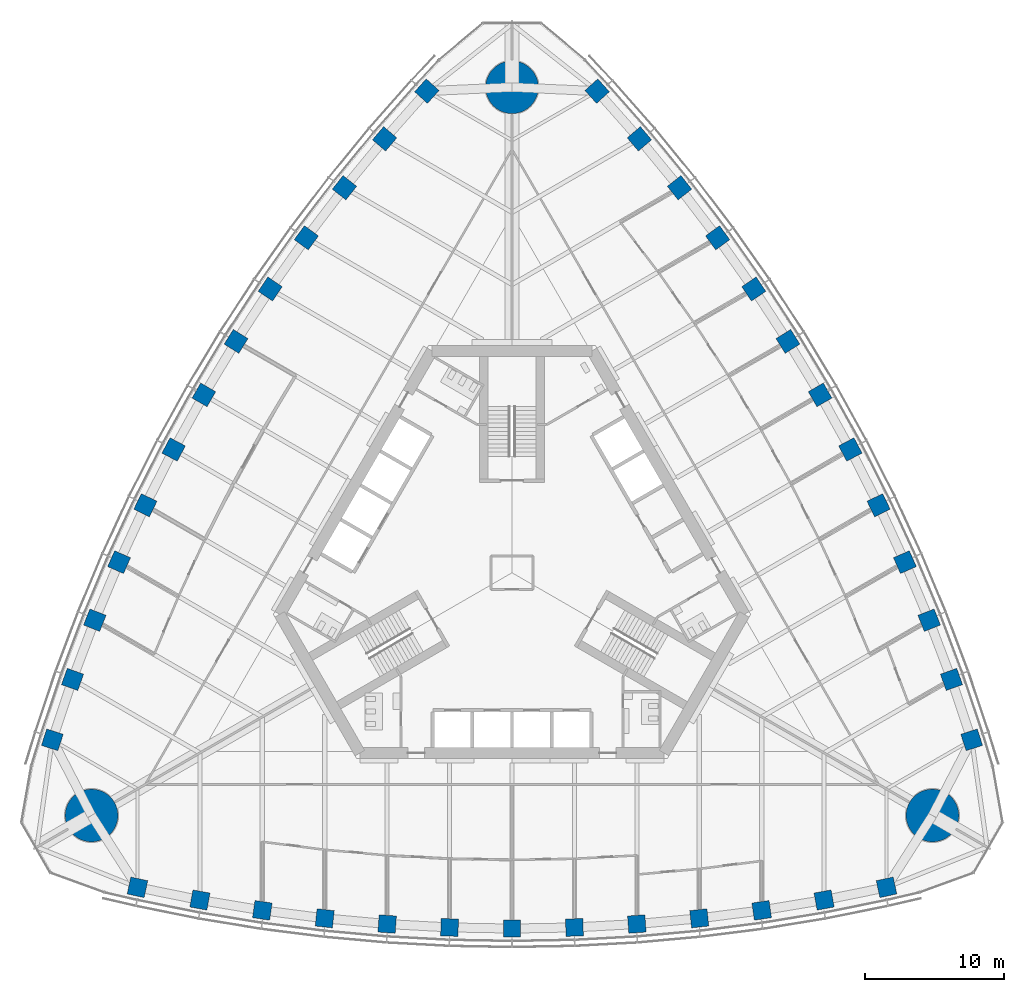
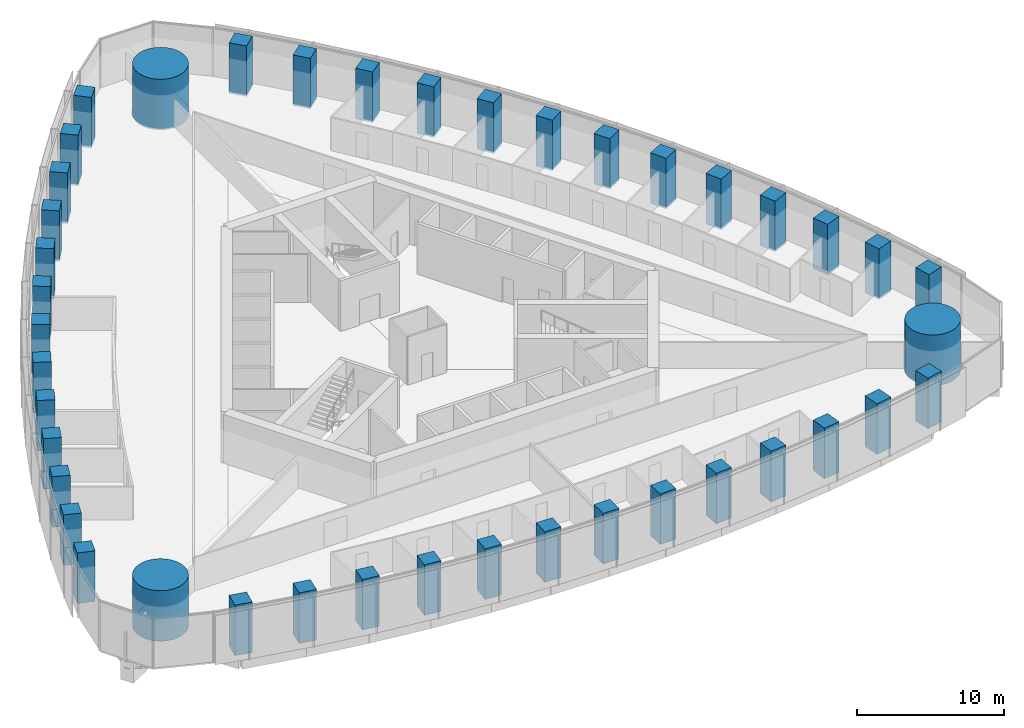
# One storey, part 1 of 21: 42 columns.
"""IFC4 building model written with IfcOpenShell, lengths in metres."""

from ifc_helpers import new_model, si_unit, direction, frame, origin, origin_2d, place, context, subcontext, project, spatial, rectangle, circle, extrude, material, material_profile, profile_set, type_object, element, save


model = new_model("IFC4")

# Units and contexts
model_context = context("Model", 3, precision=1e-05, world=origin(), true_north=direction((0.0, 1.0)))
body_context = subcontext(model_context, "Body", "Model", "MODEL_VIEW")
ifc_project = project(units=[si_unit("LENGTHUNIT", "METRE"), si_unit("AREAUNIT", "SQUARE_METRE"), si_unit("VOLUMEUNIT", "CUBIC_METRE"), si_unit("PLANEANGLEUNIT", "RADIAN"), si_unit("MASSUNIT", "GRAM", prefix="KILO")], contexts=[model_context])

# Site, building, storey
site_placement = place(None, origin())
site = spatial("IfcSite", under=ifc_project, at=site_placement, CompositionType="ELEMENT")
building_placement = place(site_placement, origin())
building = spatial("IfcBuilding", under=site, at=building_placement, Name="Trefoil Bronze Tower", CompositionType="ELEMENT")
storey_placement = place(building_placement, frame((0.0, 0.0, 149.300048828125)))
storey = spatial("IfcBuildingStorey", under=building, at=storey_placement, Name="L34", CompositionType="ELEMENT", Elevation=149.300048828125)

# Columns
ifc_material_1 = material(Name="Concrete B80", Category="concrete")
ifc_material_profile_1 = material_profile(ifc_material_1, circle(Radius=1.89990234375, at=origin_2d()), Name="RC D3800")
ifc_profile_set_1 = profile_set([ifc_material_profile_1], Name="Concrete B80")
column_type_1 = type_object("IfcColumnType", Name="Mega column RC D3800", PredefinedType="COLUMN", material=ifc_profile_set_1)
for number, where, z_axis, x_axis, name in (
    (1, (30.310791015625, -17.5, 0.0), (0.0, 0.0, 1.0), (1.0, 0.0, 0.0), "Mega column K1 L34"),
    (2, (0.0, 35.0, 0.0), (0.0, 0.0, 1.0), (1.0, 0.0, 0.0), "Mega column K2 L34"),
    (3, (-30.310791015625, -17.5, 0.0), (0.0, 0.0, 1.0), (1.0, 0.0, 0.0), "Mega column K3 L34"),
):
    element("IfcColumn", number, at=place(storey_placement, frame(where, z_axis=z_axis, x_axis=x_axis)), inside=storey, type_object=column_type_1, Name=name, PredefinedType="COLUMN", context=body_context, shape_type="SweptSolid", body=[
        extrude(circle(Radius=1.89990234375, at=origin_2d()), origin(), (0.0, 0.0, 1.0), 4.199951171875),
    ])
ifc_material_2 = material(Name="Concrete B80", Category="concrete")
ifc_material_profile_2 = material_profile(ifc_material_2, rectangle(XDim=1.25, YDim=1.25, at=origin_2d()), Name="RC 1250x1250")
ifc_profile_set_2 = profile_set([ifc_material_profile_2], Name="Concrete B80")
column_type_2 = type_object("IfcColumnType", Name="Tube column RC 1250x1250", PredefinedType="COLUMN", material=ifc_profile_set_2)
for number, where, z_axis, x_axis, name in (
    (4, (-27.0, -22.67724609375, 0.0), (0.0, 0.0, 1.0), (0.977276081214, -0.21197042503, 0.0), "Tube column F1/-6 L34"),
    (5, (-22.5, -23.592529296875, 0.0), (0.0, 0.0, 1.0), (0.98362250613, -0.180240853954, 0.0), "Tube column F1/-5 L34"),
    (6, (-18.0, -24.337158203125, 0.0), (0.0, 0.0, 1.0), (0.989549714366, -0.144192103798, 0.0), "Tube column F1/-4 L34"),
    (7, (-13.5, -24.9130859375, 0.0), (0.0, 0.0, 1.0), (0.994135267447, -0.108143747013, 0.0), "Tube column F1/-3 L34"),
    (8, (-9.0, -25.32275390625, 0.0), (0.0, 0.0, 1.0), (0.997397720802, -0.072095676284, 0.0), "Tube column F1/-2 L34"),
    (9, (-4.5, -25.568115234375, 0.0), (0.0, 0.0, 1.0), (0.999350067136, -0.036047792107, 0.0), "Tube column F1/-1 L34"),
    (10, (0.0, -25.649658203125, 0.0), (0.0, 0.0, 1.0), (1.0, 0.0, 0.0), "Tube column F1/+0 L34"),
    (11, (4.5, -25.568115234375, 0.0), (0.0, 0.0, 1.0), (0.999350067136, 0.036047792107, 0.0), "Tube column F1/+1 L34"),
    (12, (9.0, -25.32275390625, 0.0), (0.0, 0.0, 1.0), (0.997397720802, 0.072095676284, 0.0), "Tube column F1/+2 L34"),
    (13, (13.5, -24.9130859375, 0.0), (0.0, 0.0, 1.0), (0.994135267447, 0.108143747013, 0.0), "Tube column F1/+3 L34"),
    (14, (18.0, -24.337158203125, 0.0), (0.0, 0.0, 1.0), (0.989549714366, 0.144192103798, 0.0), "Tube column F1/+4 L34"),
    (15, (22.5, -23.592529296875, 0.0), (0.0, 0.0, 1.0), (0.98362250613, 0.180240853954, 0.0), "Tube column F1/+5 L34"),
    (16, (27.0, -22.67724609375, 0.0), (0.0, 0.0, 1.0), (0.977276081214, 0.21197042503, 0.0), "Tube column F1/+6 L34"),
    (17, (33.13916015625, -12.044189453125, 0.0), (0.0, 0.0, 1.0), (-0.30506626768, 0.952331125357, 0.0), "Tube column F2/-6 L34"),
    (18, (31.681884765625, -7.689208984375, 0.0), (0.0, 0.0, 1.0), (-0.335718094742, 0.94196250502, 0.0), "Tube column F2/-5 L34"),
    (19, (30.07666015625, -3.419921875, 0.0), (0.0, 0.0, 1.0), (-0.369900832269, 0.929071242848, 0.0), "Tube column F2/-4 L34"),
    (20, (28.325439453125, 0.76513671875, 0.0), (0.0, 0.0, 1.0), (-0.40341240155, 0.915018269914, 0.0), "Tube column F2/-3 L34"),
    (21, (26.43017578125, 4.8671875, 0.0), (0.0, 0.0, 1.0), (-0.436262173236, 0.899819602033, 0.0), "Tube column F2/-2 L34"),
    (22, (24.392578125, 8.886962890625, 0.0), (0.0, 0.0, 1.0), (-0.468456729853, 0.883486441467, 0.0), "Tube column F2/-1 L34"),
    (23, (22.21337890625, 12.824951171875, 0.0), (0.0, 0.0, 1.0), (-0.5, 0.866025403784, 0.0), "Tube column F2/+0 L34"),
    (24, (19.892578125, 16.68115234375, 0.0), (0.0, 0.0, 1.0), (-0.530893337283, 0.84743864936, 0.0), "Tube column F2/+1 L34"),
    (25, (17.43017578125, 20.45556640625, 0.0), (0.0, 0.0, 1.0), (-0.561135547566, 0.827723925749, 0.0), "Tube column F2/+2 L34"),
    (26, (14.825439453125, 24.14794921875, 0.0), (0.0, 0.0, 1.0), (-0.590722865897, 0.806874522901, 0.0), "Tube column F2/+3 L34"),
    (27, (12.07666015625, 27.757080078125, 0.0), (0.0, 0.0, 1.0), (-0.619648882098, 0.78487913905, 0.0), "Tube column F2/+4 L34"),
    (28, (9.181884765625, 31.281982421875, 0.0), (0.0, 0.0, 1.0), (-0.647904411389, 0.761721651066, 0.0), "Tube column F2/+5 L34"),
    (29, (6.13916015625, 34.72119140625, 0.0), (0.0, 0.0, 1.0), (-0.672209813534, 0.740360700327, 0.0), "Tube column F2/+6 L34"),
    (30, (-6.13916015625, 34.72119140625, 0.0), (0.0, 0.0, 1.0), (-0.672209813534, -0.740360700327, 0.0), "Tube column F3/-6 L34"),
    (31, (-9.181884765625, 31.281982421875, 0.0), (0.0, 0.0, 1.0), (-0.647904411389, -0.761721651066, 0.0), "Tube column F3/-5 L34"),
    (32, (-12.07666015625, 27.757080078125, 0.0), (0.0, 0.0, 1.0), (-0.619648882098, -0.78487913905, 0.0), "Tube column F3/-4 L34"),
    (33, (-14.825439453125, 24.14794921875, 0.0), (0.0, 0.0, 1.0), (-0.590722865897, -0.806874522901, 0.0), "Tube column F3/-3 L34"),
    (34, (-17.43017578125, 20.45556640625, 0.0), (0.0, 0.0, 1.0), (-0.561135547566, -0.827723925749, 0.0), "Tube column F3/-2 L34"),
    (35, (-19.892578125, 16.68115234375, 0.0), (0.0, 0.0, 1.0), (-0.530893337283, -0.84743864936, 0.0), "Tube column F3/-1 L34"),
    (36, (-22.21337890625, 12.824951171875, 0.0), (0.0, 0.0, 1.0), (-0.5, -0.866025403784, 0.0), "Tube column F3/+0 L34"),
    (37, (-24.392578125, 8.886962890625, 0.0), (0.0, 0.0, 1.0), (-0.468456729853, -0.883486441467, 0.0), "Tube column F3/+1 L34"),
    (38, (-26.43017578125, 4.8671875, 0.0), (0.0, 0.0, 1.0), (-0.436262173236, -0.899819602033, 0.0), "Tube column F3/+2 L34"),
    (39, (-28.325439453125, 0.76513671875, 0.0), (0.0, 0.0, 1.0), (-0.40341240155, -0.915018269914, 0.0), "Tube column F3/+3 L34"),
    (40, (-30.07666015625, -3.419921875, 0.0), (0.0, 0.0, 1.0), (-0.369900832269, -0.929071242848, 0.0), "Tube column F3/+4 L34"),
    (41, (-31.681884765625, -7.689208984375, 0.0), (0.0, 0.0, 1.0), (-0.335718094742, -0.94196250502, 0.0), "Tube column F3/+5 L34"),
    (42, (-33.13916015625, -12.044189453125, 0.0), (0.0, 0.0, 1.0), (-0.30506626768, -0.952331125357, 0.0), "Tube column F3/+6 L34"),
):
    element("IfcColumn", number, at=place(storey_placement, frame(where, z_axis=z_axis, x_axis=x_axis)), inside=storey, type_object=column_type_2, Name=name, PredefinedType="COLUMN", context=body_context, shape_type="SweptSolid", body=[
        extrude(rectangle(XDim=1.25, YDim=1.25, at=origin_2d()), origin(), (0.0, 0.0, 1.0), 4.199951171875),
    ])

save(model, "model.ifc")
